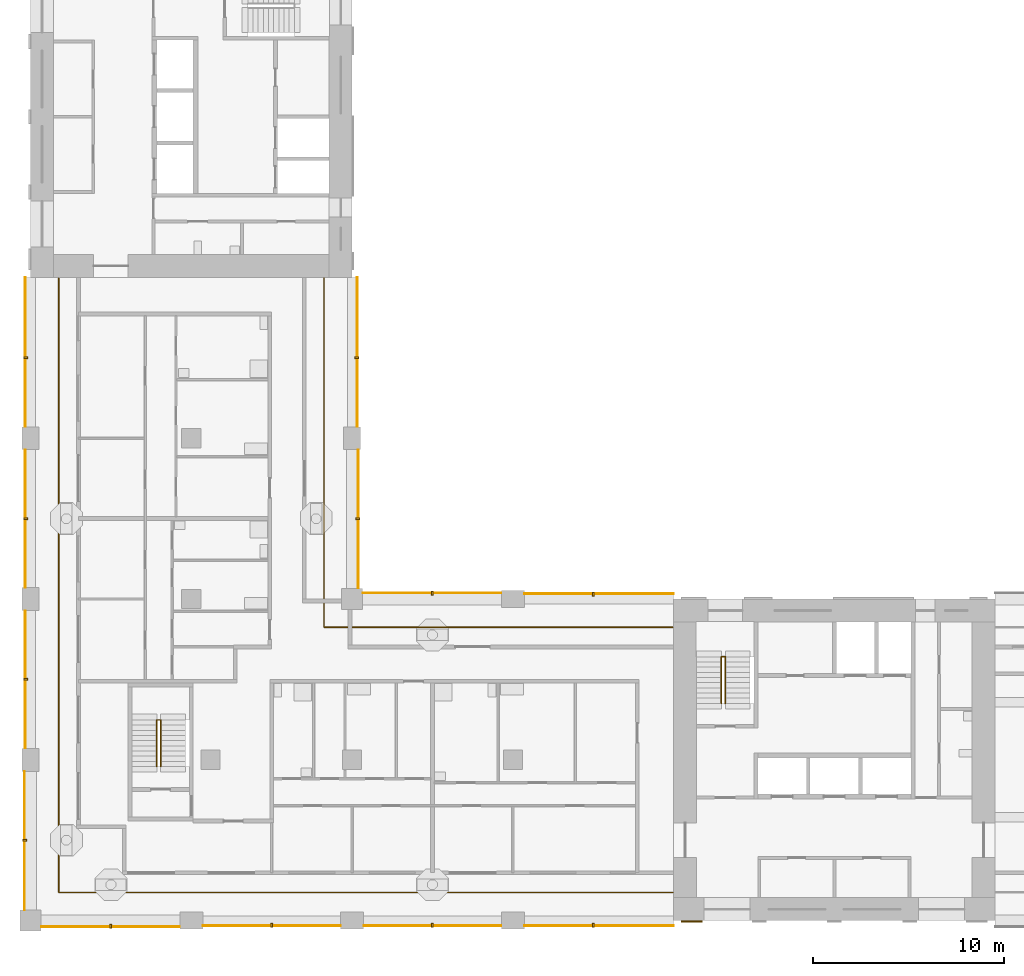
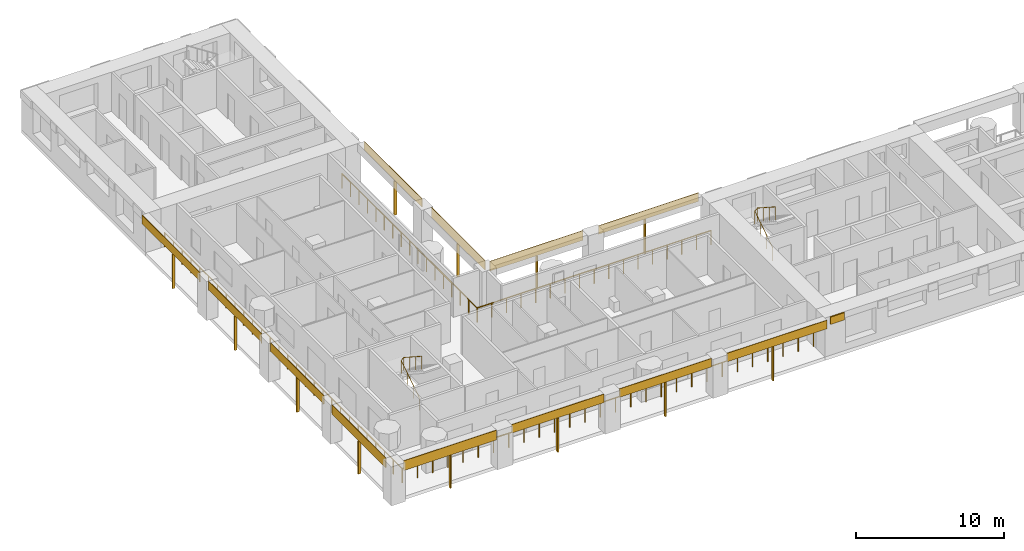
# One storey, part 8 of 13: 25 shading devices, 4 railings.
"""IFC4 building model written with IfcOpenShell, lengths in metres."""

from ifc_helpers import new_model, si_unit, direction, frame, origin, origin_2d, place, context, subcontext, project, spatial, rectangle, circle, extrude, material, layer, layer_set, material_profile, profile_set, type_object, element, save


model = new_model("IFC4")

# Units and contexts
model_context = context("Model", 3, precision=1e-05, world=origin(), true_north=direction((0.0, 1.0)))
body_context = subcontext(model_context, "Body", "Model", "MODEL_VIEW")
ifc_project = project(units=[si_unit("LENGTHUNIT", "METRE"), si_unit("AREAUNIT", "SQUARE_METRE"), si_unit("VOLUMEUNIT", "CUBIC_METRE"), si_unit("PLANEANGLEUNIT", "RADIAN"), si_unit("MASSUNIT", "GRAM", prefix="KILO")], contexts=[model_context])

# Site, building, storey
site_placement = place(None, origin())
site = spatial("IfcSite", under=ifc_project, at=site_placement, CompositionType="ELEMENT")
building_placement = place(site_placement, origin())
building = spatial("IfcBuilding", under=site, at=building_placement, Name="Vermilion Gate Residences", CompositionType="ELEMENT")
storey_placement = place(building_placement, frame((0.0, 0.0, 186.199951171875)))
storey = spatial("IfcBuildingStorey", under=building, at=storey_placement, Name="L48", CompositionType="ELEMENT", Elevation=186.199951171875)

# Railings
ifc_material_1 = material(Name="Stainless steel and toughened glass", Category="steel")
railing_type_1 = type_object("IfcRailingType", Name="LOGGIA GUARD STEEL AND GLASS 1200", PredefinedType="GUARDRAIL", material=ifc_material_1)
railing_1_placement = place(storey_placement, frame((41.97802734375, 23.72509765625, 0.0)))
element("IfcRailing", 1, at=railing_1_placement, inside=storey, type_object=railing_type_1, Name="Loggia guard", PredefinedType="GUARDRAIL", context=body_context, shape_type="SweptSolid", body=[
    extrude(circle(Radius=0.030029296875, at=origin_2d()), frame((0.0, 0.0, 1.169921875), z_axis=(-1.0, 0.0, 0.0), x_axis=(0.0, -1.0, 0.0)), (0.0, 0.0, 1.0), 18.2529296875),
    extrude(circle(Radius=0.030029296875, at=origin_2d()), frame((-18.2529296875, 0.0, 1.169921875), z_axis=(0.0, 1.0, 0.0), x_axis=(-1.0, 0.0, 0.0)), (0.0, 0.0, 1.0), 18.2529296875),
    extrude(circle(Radius=0.02490234375, at=origin_2d()), origin(), (0.0, 0.0, 1.0), 1.139892578125),
    extrude(circle(Radius=0.02490234375, at=origin_2d()), frame((-1.140869140625, 0.0, 0.0)), (0.0, 0.0, 1.0), 1.139892578125),
    extrude(circle(Radius=0.02490234375, at=origin_2d()), frame((-2.28173828125, 0.0, 0.0)), (0.0, 0.0, 1.0), 1.139892578125),
    extrude(circle(Radius=0.02490234375, at=origin_2d()), frame((-3.42236328125, 0.0, 0.0)), (0.0, 0.0, 1.0), 1.139892578125),
    extrude(circle(Radius=0.02490234375, at=origin_2d()), frame((-4.563232421875, 0.0, 0.0)), (0.0, 0.0, 1.0), 1.139892578125),
    extrude(circle(Radius=0.02490234375, at=origin_2d()), frame((-5.7041015625, 0.0, 0.0)), (0.0, 0.0, 1.0), 1.139892578125),
    extrude(circle(Radius=0.02490234375, at=origin_2d()), frame((-6.8447265625, 0.0, 0.0)), (0.0, 0.0, 1.0), 1.139892578125),
    extrude(circle(Radius=0.02490234375, at=origin_2d()), frame((-7.985595703125, 0.0, 0.0)), (0.0, 0.0, 1.0), 1.139892578125),
    extrude(circle(Radius=0.02490234375, at=origin_2d()), frame((-9.12646484375, 0.0, 0.0)), (0.0, 0.0, 1.0), 1.139892578125),
    extrude(circle(Radius=0.02490234375, at=origin_2d()), frame((-10.267333984375, 0.0, 0.0)), (0.0, 0.0, 1.0), 1.139892578125),
    extrude(circle(Radius=0.02490234375, at=origin_2d()), frame((-11.408203125, 0.0, 0.0)), (0.0, 0.0, 1.0), 1.139892578125),
    extrude(circle(Radius=0.02490234375, at=origin_2d()), frame((-12.548828125, 0.0, 0.0)), (0.0, 0.0, 1.0), 1.139892578125),
    extrude(circle(Radius=0.02490234375, at=origin_2d()), frame((-13.689697265625, 0.0, 0.0)), (0.0, 0.0, 1.0), 1.139892578125),
    extrude(circle(Radius=0.02490234375, at=origin_2d()), frame((-14.83056640625, 0.0, 0.0)), (0.0, 0.0, 1.0), 1.139892578125),
    extrude(circle(Radius=0.02490234375, at=origin_2d()), frame((-15.97119140625, 0.0, 0.0)), (0.0, 0.0, 1.0), 1.139892578125),
    extrude(circle(Radius=0.02490234375, at=origin_2d()), frame((-17.112060546875, 0.0, 0.0)), (0.0, 0.0, 1.0), 1.139892578125),
    extrude(circle(Radius=0.02490234375, at=origin_2d()), frame((-18.2529296875, 0.0, 0.0)), (0.0, 0.0, 1.0), 1.139892578125),
    extrude(circle(Radius=0.02490234375, at=origin_2d()), frame((-18.2529296875, 1.140869140625, 0.0)), (0.0, 0.0, 1.0), 1.139892578125),
    extrude(circle(Radius=0.02490234375, at=origin_2d()), frame((-18.2529296875, 2.28173828125, 0.0)), (0.0, 0.0, 1.0), 1.139892578125),
    extrude(circle(Radius=0.02490234375, at=origin_2d()), frame((-18.2529296875, 3.42236328125, 0.0)), (0.0, 0.0, 1.0), 1.139892578125),
    extrude(circle(Radius=0.02490234375, at=origin_2d()), frame((-18.2529296875, 4.563232421875, 0.0)), (0.0, 0.0, 1.0), 1.139892578125),
    extrude(circle(Radius=0.02490234375, at=origin_2d()), frame((-18.2529296875, 5.7041015625, 0.0)), (0.0, 0.0, 1.0), 1.139892578125),
    extrude(circle(Radius=0.02490234375, at=origin_2d()), frame((-18.2529296875, 6.8447265625, 0.0)), (0.0, 0.0, 1.0), 1.139892578125),
    extrude(circle(Radius=0.02490234375, at=origin_2d()), frame((-18.2529296875, 7.985595703125, 0.0)), (0.0, 0.0, 1.0), 1.139892578125),
    extrude(circle(Radius=0.02490234375, at=origin_2d()), frame((-18.2529296875, 9.12646484375, 0.0)), (0.0, 0.0, 1.0), 1.139892578125),
    extrude(circle(Radius=0.02490234375, at=origin_2d()), frame((-18.2529296875, 10.267333984375, 0.0)), (0.0, 0.0, 1.0), 1.139892578125),
    extrude(circle(Radius=0.02490234375, at=origin_2d()), frame((-18.2529296875, 11.408203125, 0.0)), (0.0, 0.0, 1.0), 1.139892578125),
    extrude(circle(Radius=0.02490234375, at=origin_2d()), frame((-18.2529296875, 12.548828125, 0.0)), (0.0, 0.0, 1.0), 1.139892578125),
    extrude(circle(Radius=0.02490234375, at=origin_2d()), frame((-18.2529296875, 13.689697265625, 0.0)), (0.0, 0.0, 1.0), 1.139892578125),
    extrude(circle(Radius=0.02490234375, at=origin_2d()), frame((-18.2529296875, 14.83056640625, 0.0)), (0.0, 0.0, 1.0), 1.139892578125),
    extrude(circle(Radius=0.02490234375, at=origin_2d()), frame((-18.2529296875, 15.97119140625, 0.0)), (0.0, 0.0, 1.0), 1.139892578125),
    extrude(circle(Radius=0.02490234375, at=origin_2d()), frame((-18.2529296875, 17.112060546875, 0.0)), (0.0, 0.0, 1.0), 1.139892578125),
    extrude(circle(Radius=0.02490234375, at=origin_2d()), frame((-18.2529296875, 18.2529296875, 0.0)), (0.0, 0.0, 1.0), 1.139892578125),
])
railing_2_placement = place(storey_placement, frame((9.875, 41.97802734375, 0.0)))
element("IfcRailing", 2, at=railing_2_placement, inside=storey, type_object=railing_type_1, Name="Loggia guard", PredefinedType="GUARDRAIL", context=body_context, shape_type="SweptSolid", body=[
    extrude(circle(Radius=0.030029296875, at=origin_2d()), frame((0.0, 0.0, 1.169921875), z_axis=(0.0, -1.0, 0.0), x_axis=(1.0, 0.0, 0.0)), (0.0, 0.0, 1.0), 32.10302734375),
    extrude(circle(Radius=0.030029296875, at=origin_2d()), frame((0.0, -32.10302734375, 1.169921875), z_axis=(1.0, 0.0, 0.0), x_axis=(0.0, 1.0, 0.0)), (0.0, 0.0, 1.0), 32.10302734375),
    extrude(circle(Radius=0.02490234375, at=origin_2d()), origin(), (0.0, 0.0, 1.0), 1.139892578125),
    extrude(circle(Radius=0.02490234375, at=origin_2d()), frame((0.0, -1.18896484375, 0.0)), (0.0, 0.0, 1.0), 1.139892578125),
    extrude(circle(Radius=0.02490234375, at=origin_2d()), frame((0.0, -2.3779296875, 0.0)), (0.0, 0.0, 1.0), 1.139892578125),
    extrude(circle(Radius=0.02490234375, at=origin_2d()), frame((0.0, -3.56689453125, 0.0)), (0.0, 0.0, 1.0), 1.139892578125),
    extrude(circle(Radius=0.02490234375, at=origin_2d()), frame((0.0, -4.756103515625, 0.0)), (0.0, 0.0, 1.0), 1.139892578125),
    extrude(circle(Radius=0.02490234375, at=origin_2d()), frame((0.0, -5.945068359375, 0.0)), (0.0, 0.0, 1.0), 1.139892578125),
    extrude(circle(Radius=0.02490234375, at=origin_2d()), frame((0.0, -7.134033203125, 0.0)), (0.0, 0.0, 1.0), 1.139892578125),
    extrude(circle(Radius=0.02490234375, at=origin_2d()), frame((0.0, -8.322998046875, 0.0)), (0.0, 0.0, 1.0), 1.139892578125),
    extrude(circle(Radius=0.02490234375, at=origin_2d()), frame((0.0, -9.511962890625, 0.0)), (0.0, 0.0, 1.0), 1.139892578125),
    extrude(circle(Radius=0.02490234375, at=origin_2d()), frame((0.0, -10.700927734375, 0.0)), (0.0, 0.0, 1.0), 1.139892578125),
    extrude(circle(Radius=0.02490234375, at=origin_2d()), frame((0.0, -11.889892578125, 0.0)), (0.0, 0.0, 1.0), 1.139892578125),
    extrude(circle(Radius=0.02490234375, at=origin_2d()), frame((0.0, -13.0791015625, 0.0)), (0.0, 0.0, 1.0), 1.139892578125),
    extrude(circle(Radius=0.02490234375, at=origin_2d()), frame((0.0, -14.26806640625, 0.0)), (0.0, 0.0, 1.0), 1.139892578125),
    extrude(circle(Radius=0.02490234375, at=origin_2d()), frame((0.0, -15.45703125, 0.0)), (0.0, 0.0, 1.0), 1.139892578125),
    extrude(circle(Radius=0.02490234375, at=origin_2d()), frame((0.0, -16.64599609375, 0.0)), (0.0, 0.0, 1.0), 1.139892578125),
    extrude(circle(Radius=0.02490234375, at=origin_2d()), frame((0.0, -17.8349609375, 0.0)), (0.0, 0.0, 1.0), 1.139892578125),
    extrude(circle(Radius=0.02490234375, at=origin_2d()), frame((0.0, -19.02392578125, 0.0)), (0.0, 0.0, 1.0), 1.139892578125),
    extrude(circle(Radius=0.02490234375, at=origin_2d()), frame((0.0, -20.213134765625, 0.0)), (0.0, 0.0, 1.0), 1.139892578125),
    extrude(circle(Radius=0.02490234375, at=origin_2d()), frame((0.0, -21.402099609375, 0.0)), (0.0, 0.0, 1.0), 1.139892578125),
    extrude(circle(Radius=0.02490234375, at=origin_2d()), frame((0.0, -22.591064453125, 0.0)), (0.0, 0.0, 1.0), 1.139892578125),
    extrude(circle(Radius=0.02490234375, at=origin_2d()), frame((0.0, -23.780029296875, 0.0)), (0.0, 0.0, 1.0), 1.139892578125),
    extrude(circle(Radius=0.02490234375, at=origin_2d()), frame((0.0, -24.968994140625, 0.0)), (0.0, 0.0, 1.0), 1.139892578125),
    extrude(circle(Radius=0.02490234375, at=origin_2d()), frame((0.0, -26.157958984375, 0.0)), (0.0, 0.0, 1.0), 1.139892578125),
    extrude(circle(Radius=0.02490234375, at=origin_2d()), frame((0.0, -27.346923828125, 0.0)), (0.0, 0.0, 1.0), 1.139892578125),
    extrude(circle(Radius=0.02490234375, at=origin_2d()), frame((0.0, -28.5361328125, 0.0)), (0.0, 0.0, 1.0), 1.139892578125),
    extrude(circle(Radius=0.02490234375, at=origin_2d()), frame((0.0, -29.72509765625, 0.0)), (0.0, 0.0, 1.0), 1.139892578125),
    extrude(circle(Radius=0.02490234375, at=origin_2d()), frame((0.0, -30.9140625, 0.0)), (0.0, 0.0, 1.0), 1.139892578125),
    extrude(circle(Radius=0.02490234375, at=origin_2d()), frame((0.0, -32.10302734375, 0.0)), (0.0, 0.0, 1.0), 1.139892578125),
    extrude(circle(Radius=0.02490234375, at=origin_2d()), frame((1.18896484375, -32.10302734375, 0.0)), (0.0, 0.0, 1.0), 1.139892578125),
    extrude(circle(Radius=0.02490234375, at=origin_2d()), frame((2.3779296875, -32.10302734375, 0.0)), (0.0, 0.0, 1.0), 1.139892578125),
    extrude(circle(Radius=0.02490234375, at=origin_2d()), frame((3.56689453125, -32.10302734375, 0.0)), (0.0, 0.0, 1.0), 1.139892578125),
    extrude(circle(Radius=0.02490234375, at=origin_2d()), frame((4.756103515625, -32.10302734375, 0.0)), (0.0, 0.0, 1.0), 1.139892578125),
    extrude(circle(Radius=0.02490234375, at=origin_2d()), frame((5.945068359375, -32.10302734375, 0.0)), (0.0, 0.0, 1.0), 1.139892578125),
    extrude(circle(Radius=0.02490234375, at=origin_2d()), frame((7.134033203125, -32.10302734375, 0.0)), (0.0, 0.0, 1.0), 1.139892578125),
    extrude(circle(Radius=0.02490234375, at=origin_2d()), frame((8.322998046875, -32.10302734375, 0.0)), (0.0, 0.0, 1.0), 1.139892578125),
    extrude(circle(Radius=0.02490234375, at=origin_2d()), frame((9.511962890625, -32.10302734375, 0.0)), (0.0, 0.0, 1.0), 1.139892578125),
    extrude(circle(Radius=0.02490234375, at=origin_2d()), frame((10.700927734375, -32.10302734375, 0.0)), (0.0, 0.0, 1.0), 1.139892578125),
    extrude(circle(Radius=0.02490234375, at=origin_2d()), frame((11.889892578125, -32.10302734375, 0.0)), (0.0, 0.0, 1.0), 1.139892578125),
    extrude(circle(Radius=0.02490234375, at=origin_2d()), frame((13.0791015625, -32.10302734375, 0.0)), (0.0, 0.0, 1.0), 1.139892578125),
    extrude(circle(Radius=0.02490234375, at=origin_2d()), frame((14.26806640625, -32.10302734375, 0.0)), (0.0, 0.0, 1.0), 1.139892578125),
    extrude(circle(Radius=0.02490234375, at=origin_2d()), frame((15.45703125, -32.10302734375, 0.0)), (0.0, 0.0, 1.0), 1.139892578125),
    extrude(circle(Radius=0.02490234375, at=origin_2d()), frame((16.64599609375, -32.10302734375, 0.0)), (0.0, 0.0, 1.0), 1.139892578125),
    extrude(circle(Radius=0.02490234375, at=origin_2d()), frame((17.8349609375, -32.10302734375, 0.0)), (0.0, 0.0, 1.0), 1.139892578125),
    extrude(circle(Radius=0.02490234375, at=origin_2d()), frame((19.02392578125, -32.10302734375, 0.0)), (0.0, 0.0, 1.0), 1.139892578125),
    extrude(circle(Radius=0.02490234375, at=origin_2d()), frame((20.213134765625, -32.10302734375, 0.0)), (0.0, 0.0, 1.0), 1.139892578125),
    extrude(circle(Radius=0.02490234375, at=origin_2d()), frame((21.402099609375, -32.10302734375, 0.0)), (0.0, 0.0, 1.0), 1.139892578125),
    extrude(circle(Radius=0.02490234375, at=origin_2d()), frame((22.591064453125, -32.10302734375, 0.0)), (0.0, 0.0, 1.0), 1.139892578125),
    extrude(circle(Radius=0.02490234375, at=origin_2d()), frame((23.780029296875, -32.10302734375, 0.0)), (0.0, 0.0, 1.0), 1.139892578125),
    extrude(circle(Radius=0.02490234375, at=origin_2d()), frame((24.968994140625, -32.10302734375, 0.0)), (0.0, 0.0, 1.0), 1.139892578125),
    extrude(circle(Radius=0.02490234375, at=origin_2d()), frame((26.157958984375, -32.10302734375, 0.0)), (0.0, 0.0, 1.0), 1.139892578125),
    extrude(circle(Radius=0.02490234375, at=origin_2d()), frame((27.346923828125, -32.10302734375, 0.0)), (0.0, 0.0, 1.0), 1.139892578125),
    extrude(circle(Radius=0.02490234375, at=origin_2d()), frame((28.5361328125, -32.10302734375, 0.0)), (0.0, 0.0, 1.0), 1.139892578125),
    extrude(circle(Radius=0.02490234375, at=origin_2d()), frame((29.72509765625, -32.10302734375, 0.0)), (0.0, 0.0, 1.0), 1.139892578125),
    extrude(circle(Radius=0.02490234375, at=origin_2d()), frame((30.9140625, -32.10302734375, 0.0)), (0.0, 0.0, 1.0), 1.139892578125),
    extrude(circle(Radius=0.02490234375, at=origin_2d()), frame((32.10302734375, -32.10302734375, 0.0)), (0.0, 0.0, 1.0), 1.139892578125),
])

# Shading devices
ifc_material_2 = material(Name="Perforated terracotta", Category="masonry")
ifc_layer_1 = layer(ifc_material_2, 0.0400390625)
ifc_layer_set_1 = layer_set([ifc_layer_1], Name="PERFORATED TERRACOTTA SCREEN 40")
shading_device_type_1 = type_object("IfcShadingDeviceType", Name="PERFORATED TERRACOTTA SCREEN 40", PredefinedType="SHUTTER", material=ifc_layer_set_1)
shading_device_1_placement = place(storey_placement, frame((12.574951171875, 8.080078125, 2.419921875), z_axis=(0.0, 0.0, 1.0), x_axis=(1.0, 0.0, 0.0)))
element("IfcShadingDevice", 3, at=shading_device_1_placement, inside=storey, type_object=shading_device_type_1, Name="SCREEN", PredefinedType="SHUTTER", context=body_context, shape_type="SweptSolid", body=[
    extrude(rectangle(XDim=7.25, YDim=0.0400390625, at=origin_2d()), origin(), (0.0, 0.0, 1.0), 0.800048828125),
])
for number, where, z_axis, x_axis, name in (
    (4, (21.0, 8.1298828125, 2.52001953125), (0.0, 0.0, 1.0), (1.0, 0.0, 0.0), "SCREEN"),
    (5, (29.39990234375, 8.1298828125, 2.52001953125), (0.0, 0.0, 1.0), (1.0, 0.0, 0.0), "SCREEN"),
):
    element("IfcShadingDevice", number, at=place(storey_placement, frame(where, z_axis=z_axis, x_axis=x_axis)), inside=storey, type_object=shading_device_type_1, Name=name, PredefinedType="SHUTTER", context=body_context, shape_type="SweptSolid", body=[
        extrude(rectangle(XDim=7.199951171875, YDim=0.0400390625, at=origin_2d()), origin(), (0.0, 0.0, 1.0), 0.699951171875),
    ])
shading_device_2_placement = place(storey_placement, frame((38.10009765625, 8.1298828125, 2.52001953125), z_axis=(0.0, 0.0, 1.0), x_axis=(1.0, 0.0, 0.0)))
element("IfcShadingDevice", 6, at=shading_device_2_placement, inside=storey, type_object=shading_device_type_1, Name="SCREEN", PredefinedType="SHUTTER", context=body_context, shape_type="SweptSolid", body=[
    extrude(rectangle(XDim=7.800048828125, YDim=0.0400390625, at=origin_2d()), origin(), (0.0, 0.0, 1.0), 0.699951171875),
])
shading_device_3_placement = place(storey_placement, frame((29.375, 25.52001953125, 2.419921875), z_axis=(0.0, 0.0, 1.0), x_axis=(-1.0, 0.0, 0.0)))
element("IfcShadingDevice", 7, at=shading_device_3_placement, inside=storey, type_object=shading_device_type_1, Name="SCREEN", PredefinedType="SHUTTER", context=body_context, shape_type="SweptSolid", body=[
    extrude(rectangle(XDim=7.25, YDim=0.0400390625, at=origin_2d()), origin(), (0.0, 0.0, 1.0), 0.800048828125),
])
shading_device_4_placement = place(storey_placement, frame((38.10009765625, 25.469970703125, 2.52001953125), z_axis=(0.0, 0.0, 1.0), x_axis=(-1.0, 0.0, 0.0)))
element("IfcShadingDevice", 8, at=shading_device_4_placement, inside=storey, type_object=shading_device_type_1, Name="SCREEN", PredefinedType="SHUTTER", context=body_context, shape_type="SweptSolid", body=[
    extrude(rectangle(XDim=7.800048828125, YDim=0.0400390625, at=origin_2d()), origin(), (0.0, 0.0, 1.0), 0.699951171875),
])
shading_device_5_placement = place(storey_placement, frame((25.52001953125, 29.375, 2.419921875), z_axis=(0.0, 0.0, 1.0), x_axis=(0.0, 1.0, 0.0)))
element("IfcShadingDevice", 9, at=shading_device_5_placement, inside=storey, type_object=shading_device_type_1, Name="SCREEN", PredefinedType="SHUTTER", context=body_context, shape_type="SweptSolid", body=[
    extrude(rectangle(XDim=7.25, YDim=0.0400390625, at=origin_2d()), origin(), (0.0, 0.0, 1.0), 0.800048828125),
])
shading_device_6_placement = place(storey_placement, frame((25.469970703125, 38.10009765625, 2.52001953125), z_axis=(0.0, 0.0, 1.0), x_axis=(0.0, 1.0, 0.0)))
element("IfcShadingDevice", 10, at=shading_device_6_placement, inside=storey, type_object=shading_device_type_1, Name="SCREEN", PredefinedType="SHUTTER", context=body_context, shape_type="SweptSolid", body=[
    extrude(rectangle(XDim=7.800048828125, YDim=0.0400390625, at=origin_2d()), origin(), (0.0, 0.0, 1.0), 0.699951171875),
])
shading_device_7_placement = place(storey_placement, frame((8.080078125, 12.574951171875, 2.419921875), z_axis=(0.0, 0.0, 1.0), x_axis=(0.0, -1.0, 0.0)))
element("IfcShadingDevice", 11, at=shading_device_7_placement, inside=storey, type_object=shading_device_type_1, Name="SCREEN", PredefinedType="SHUTTER", context=body_context, shape_type="SweptSolid", body=[
    extrude(rectangle(XDim=7.25, YDim=0.0400390625, at=origin_2d()), origin(), (0.0, 0.0, 1.0), 0.800048828125),
])
for number, where, z_axis, x_axis, name in (
    (12, (8.1298828125, 21.0, 2.52001953125), (0.0, 0.0, 1.0), (0.0, -1.0, 0.0), "SCREEN"),
    (13, (8.1298828125, 29.39990234375, 2.52001953125), (0.0, 0.0, 1.0), (0.0, -1.0, 0.0), "SCREEN"),
):
    element("IfcShadingDevice", number, at=place(storey_placement, frame(where, z_axis=z_axis, x_axis=x_axis)), inside=storey, type_object=shading_device_type_1, Name=name, PredefinedType="SHUTTER", context=body_context, shape_type="SweptSolid", body=[
        extrude(rectangle(XDim=7.199951171875, YDim=0.0400390625, at=origin_2d()), origin(), (0.0, 0.0, 1.0), 0.699951171875),
    ])
shading_device_8_placement = place(storey_placement, frame((8.1298828125, 38.10009765625, 2.52001953125), z_axis=(0.0, 0.0, 1.0), x_axis=(0.0, -1.0, 0.0)))
element("IfcShadingDevice", 14, at=shading_device_8_placement, inside=storey, type_object=shading_device_type_1, Name="SCREEN", PredefinedType="SHUTTER", context=body_context, shape_type="SweptSolid", body=[
    extrude(rectangle(XDim=7.800048828125, YDim=0.0400390625, at=origin_2d()), origin(), (0.0, 0.0, 1.0), 0.699951171875),
])

# Railings
ifc_material_3 = material(Name="Steel S355", Category="steel")
railing_type_2 = type_object("IfcRailingType", Name="STAIR GUARD 1100 STEEL", PredefinedType="GUARDRAIL", material=ifc_material_3)
for number, where, name in (
    (15, (44.5, 19.75, 0.175048828125), "Stair well guard STA1-48"),
    (16, (15.0, 16.449951171875, 0.175048828125), "Stair well guard STC1-48"),
):
    element("IfcRailing", number, at=place(storey_placement, frame(where)), inside=storey, type_object=railing_type_2, Name=name, PredefinedType="GUARDRAIL", context=body_context, shape_type="SweptSolid", body=[
        extrude(circle(Radius=0.02392578125, at=origin_2d()), frame((0.0, 0.0, 1.076171875), z_axis=(0.0, 0.839153699163, 0.543894354798), x_axis=(-1.0, 0.0, 0.0)), (0.0, 0.0, 1.0), 2.895751953125),
        extrude(circle(Radius=0.02392578125, at=origin_2d()), frame((0.0, 2.429931640625, 2.65087890625), z_axis=(0.752405939678, 0.0, 0.658699705433), x_axis=(0.0, 1.0, 0.0)), (0.0, 0.0, 1.0), 0.265869140625),
        extrude(circle(Radius=0.02392578125, at=origin_2d()), frame((0.199951171875, 2.429931640625, 2.826171875), z_axis=(0.0, -0.839153699163, 0.543894354798), x_axis=(1.0, 0.0, 0.0)), (0.0, 0.0, 1.0), 2.895751953125),
        extrude(circle(Radius=0.02099609375, at=origin_2d()), origin(), (0.0, 0.0, 1.0), 1.052001953125),
        extrude(circle(Radius=0.02099609375, at=origin_2d()), frame((0.0, 0.81005859375, 0.52490234375)), (0.0, 0.0, 1.0), 1.052001953125),
        extrude(circle(Radius=0.02099609375, at=origin_2d()), frame((0.0, 1.619873046875, 1.050048828125)), (0.0, 0.0, 1.0), 1.052001953125),
        extrude(circle(Radius=0.02099609375, at=origin_2d()), frame((0.0, 2.429931640625, 1.574951171875)), (0.0, 0.0, 1.0), 1.052001953125),
        extrude(circle(Radius=0.02099609375, at=origin_2d()), frame((0.199951171875, 2.429931640625, 1.75)), (0.0, 0.0, 1.0), 1.052001953125),
        extrude(circle(Radius=0.02099609375, at=origin_2d()), frame((0.199951171875, 1.619873046875, 2.27490234375)), (0.0, 0.0, 1.0), 1.052001953125),
        extrude(circle(Radius=0.02099609375, at=origin_2d()), frame((0.199951171875, 0.81005859375, 2.800048828125)), (0.0, 0.0, 1.0), 1.052001953125),
        extrude(circle(Radius=0.02099609375, at=origin_2d()), frame((0.199951171875, 0.0, 3.324951171875)), (0.0, 0.0, 1.0), 1.052001953125),
    ])

# Shading devices
ifc_material_4 = material(Name="Extruded terracotta", Category="masonry")
ifc_material_profile = material_profile(ifc_material_4, rectangle(XDim=0.199951171875, YDim=0.10009765625, at=origin_2d()), Name="BAGUETTE 100 X 200")
ifc_profile_set = profile_set([ifc_material_profile], Name="Extruded terracotta")
shading_device_type_2 = type_object("IfcShadingDeviceType", Name="TERRACOTTA BAGUETTE 100 X 200", PredefinedType="JALOUSIE", material=ifc_profile_set)
shading_device_9_placement = place(storey_placement, frame((12.60009765625, 8.10009765625, -0.280029296875), z_axis=(0.0, 0.0, 1.0), x_axis=(0.0, 1.0, 0.0)))
element("IfcShadingDevice", 17, at=shading_device_9_placement, inside=storey, type_object=shading_device_type_2, Name="BAGUETTE", PredefinedType="JALOUSIE", context=body_context, shape_type="SweptSolid", body=[
    extrude(rectangle(XDim=0.199951171875, YDim=0.10009765625, at=origin_2d()), origin(), (0.0, 0.0, 1.0), 2.7001953125),
])
for number, where, z_axis, x_axis, name in (
    (18, (21.0, 8.14990234375, -0.280029296875), (0.0, 0.0, 1.0), (0.0, 1.0, 0.0), "BAGUETTE"),
    (19, (29.39990234375, 8.14990234375, -0.280029296875), (0.0, 0.0, 1.0), (0.0, 1.0, 0.0), "BAGUETTE"),
    (20, (37.800048828125, 8.14990234375, -0.280029296875), (0.0, 0.0, 1.0), (0.0, 1.0, 0.0), "BAGUETTE"),
):
    element("IfcShadingDevice", number, at=place(storey_placement, frame(where, z_axis=z_axis, x_axis=x_axis)), inside=storey, type_object=shading_device_type_2, Name=name, PredefinedType="JALOUSIE", context=body_context, shape_type="SweptSolid", body=[
        extrude(rectangle(XDim=0.199951171875, YDim=0.10009765625, at=origin_2d()), origin(), (0.0, 0.0, 1.0), 2.800048828125),
    ])
shading_device_10_placement = place(storey_placement, frame((29.39990234375, 25.5, -0.280029296875), z_axis=(0.0, 0.0, 1.0), x_axis=(0.0, -1.0, 0.0)))
element("IfcShadingDevice", 21, at=shading_device_10_placement, inside=storey, type_object=shading_device_type_2, Name="BAGUETTE", PredefinedType="JALOUSIE", context=body_context, shape_type="SweptSolid", body=[
    extrude(rectangle(XDim=0.199951171875, YDim=0.10009765625, at=origin_2d()), origin(), (0.0, 0.0, 1.0), 2.7001953125),
])
shading_device_11_placement = place(storey_placement, frame((37.800048828125, 25.449951171875, -0.280029296875), z_axis=(0.0, 0.0, 1.0), x_axis=(0.0, -1.0, 0.0)))
element("IfcShadingDevice", 22, at=shading_device_11_placement, inside=storey, type_object=shading_device_type_2, Name="BAGUETTE", PredefinedType="JALOUSIE", context=body_context, shape_type="SweptSolid", body=[
    extrude(rectangle(XDim=0.199951171875, YDim=0.10009765625, at=origin_2d()), origin(), (0.0, 0.0, 1.0), 2.800048828125),
])
shading_device_12_placement = place(storey_placement, frame((25.5, 29.39990234375, -0.280029296875), z_axis=(0.0, 0.0, 1.0), x_axis=(-1.0, 0.0, 0.0)))
element("IfcShadingDevice", 23, at=shading_device_12_placement, inside=storey, type_object=shading_device_type_2, Name="BAGUETTE", PredefinedType="JALOUSIE", context=body_context, shape_type="SweptSolid", body=[
    extrude(rectangle(XDim=0.199951171875, YDim=0.10009765625, at=origin_2d()), origin(), (0.0, 0.0, 1.0), 2.7001953125),
])
shading_device_13_placement = place(storey_placement, frame((25.449951171875, 37.800048828125, -0.280029296875), z_axis=(0.0, 0.0, 1.0), x_axis=(-1.0, 0.0, 0.0)))
element("IfcShadingDevice", 24, at=shading_device_13_placement, inside=storey, type_object=shading_device_type_2, Name="BAGUETTE", PredefinedType="JALOUSIE", context=body_context, shape_type="SweptSolid", body=[
    extrude(rectangle(XDim=0.199951171875, YDim=0.10009765625, at=origin_2d()), origin(), (0.0, 0.0, 1.0), 2.800048828125),
])
shading_device_14_placement = place(storey_placement, frame((8.10009765625, 12.60009765625, -0.280029296875), z_axis=(0.0, 0.0, 1.0), x_axis=(1.0, 0.0, 0.0)))
element("IfcShadingDevice", 25, at=shading_device_14_placement, inside=storey, type_object=shading_device_type_2, Name="BAGUETTE", PredefinedType="JALOUSIE", context=body_context, shape_type="SweptSolid", body=[
    extrude(rectangle(XDim=0.199951171875, YDim=0.10009765625, at=origin_2d()), origin(), (0.0, 0.0, 1.0), 2.7001953125),
])
for number, where, z_axis, x_axis, name in (
    (26, (8.14990234375, 21.0, -0.280029296875), (0.0, 0.0, 1.0), (1.0, 0.0, 0.0), "BAGUETTE"),
    (27, (8.14990234375, 29.39990234375, -0.280029296875), (0.0, 0.0, 1.0), (1.0, 0.0, 0.0), "BAGUETTE"),
    (28, (8.14990234375, 37.800048828125, -0.280029296875), (0.0, 0.0, 1.0), (1.0, 0.0, 0.0), "BAGUETTE"),
):
    element("IfcShadingDevice", number, at=place(storey_placement, frame(where, z_axis=z_axis, x_axis=x_axis)), inside=storey, type_object=shading_device_type_2, Name=name, PredefinedType="JALOUSIE", context=body_context, shape_type="SweptSolid", body=[
        extrude(rectangle(XDim=0.199951171875, YDim=0.10009765625, at=origin_2d()), origin(), (0.0, 0.0, 1.0), 2.800048828125),
    ])
ifc_material_5 = material(Name="Extruded terracotta", Category="masonry")
ifc_layer_2 = layer(ifc_material_5, 0.10009765625)
ifc_layer_set_2 = layer_set([ifc_layer_2], Name="TERRACOTTA SPANDREL BAND 600 X 100")
shading_device_type_3 = type_object("IfcShadingDeviceType", Name="TERRACOTTA SPANDREL BAND 600 X 100", PredefinedType="USERDEFINED", material=ifc_layer_set_2)
shading_device_15_placement = place(storey_placement, frame((42.949951171875, 8.35009765625, 2.6201171875), z_axis=(0.0, 0.0, 1.0), x_axis=(1.0, 0.0, 0.0)))
element("IfcShadingDevice", 29, at=shading_device_15_placement, inside=storey, type_object=shading_device_type_3, Name="SPANDREL BAND", ObjectType="BAND", PredefinedType="USERDEFINED", context=body_context, shape_type="SweptSolid", body=[
    extrude(rectangle(XDim=1.10009765625, YDim=0.10009765625, at=origin_2d()), origin(), (0.0, 0.0, 1.0), 0.60009765625),
])

save(model, "model.ifc")
